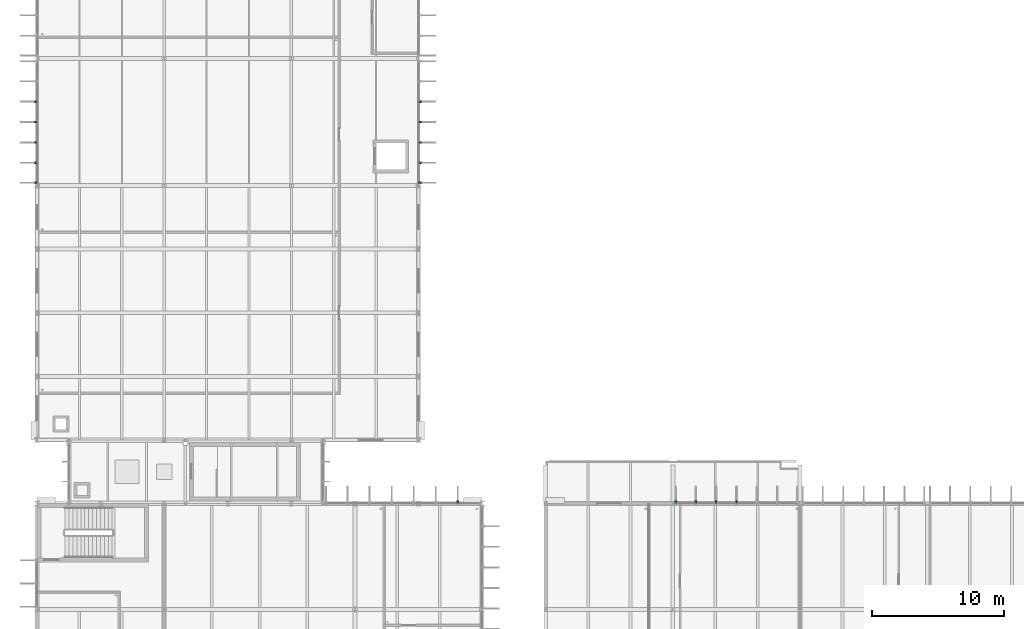
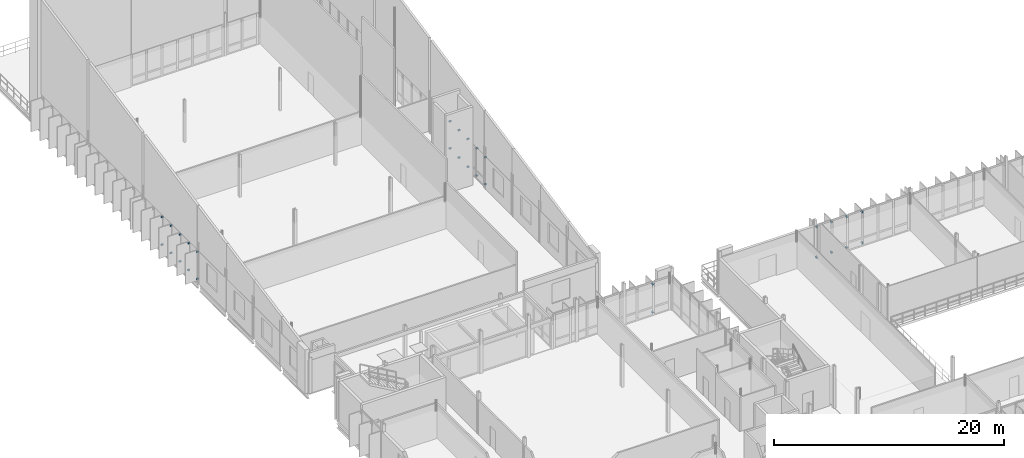
# One storey, part 80 of 93: 30 discrete accessories.
"""IFC4 building model written with IfcOpenShell, lengths in metres."""

import ifcopenshell
import ifcopenshell.guid

model = None  # the IFC model being written
_history = None  # IfcOwnerHistory: only IFC2X3 demands one
_inside = {}  # id of a spatial element -> (the spatial element, [elements in it])
_under = {}  # id of a project, library or spatial element -> (it, [spatial elements below it])
_declared = {}  # id of a project -> (the project, [libraries it declares])
_typed = {}  # id of a type object -> (the type object, [elements of that type])
_made_of = {}  # id of a material, layer set ... -> (it, [elements and type objects made of it])


def new_model(schema):
    """Start an empty IFC model of exactly this schema.

    Asked for "IFC4X3", IfcOpenShell would pick the latest addendum, in which some entities
    have other attributes; the version numbers below select the first issue.
    IFC2X3 requires an IfcOwnerHistory on every rooted entity: one is made here for all.
    """
    global model, _history
    if schema == "IFC4X3":
        model = ifcopenshell.file(schema_version=(4, 3, 0, 0))
    else:
        model = ifcopenshell.file(schema=schema)
    _inside.clear()
    _under.clear()
    _declared.clear()
    _typed.clear()
    _made_of.clear()
    _history = None
    if model.schema == "IFC2X3":
        org = make("IfcOrganization", Name="unknown")
        user = make(
            "IfcPersonAndOrganization",
            ThePerson=make("IfcPerson", FamilyName="unknown"),
            TheOrganization=org,
        )
        app = make(
            "IfcApplication",
            ApplicationDeveloper=org,
            Version="unknown",
            ApplicationFullName="unknown",
            ApplicationIdentifier="unknown",
        )
        _history = make(
            "IfcOwnerHistory",
            OwningUser=user,
            OwningApplication=app,
            ChangeAction="ADDED",
            CreationDate=0,
        )
    return model


def make(cls, **values):
    """One entity of the class cls with the attributes given. An attribute that is None is left unset."""
    return model.create_entity(
        cls, **{name: value for name, value in values.items() if value is not None}
    )


def rooted(cls, **values):
    """An entity with a GlobalId (a new one), such as an element, a storey or a relation."""
    return make(cls, GlobalId=ifcopenshell.guid.new(), OwnerHistory=_history, **values)


def si_unit(unit_type, name, prefix=None):
    """IfcSIUnit, for example si_unit("LENGTHUNIT", "METRE", prefix="MILLI")."""
    return make("IfcSIUnit", UnitType=unit_type, Prefix=prefix, Name=name)


def assignment(units):
    """IfcUnitAssignment: the units of a project."""
    return None if units is None else make("IfcUnitAssignment", Units=units)


def point(xyz):
    """IfcCartesianPoint."""
    return None if xyz is None else make("IfcCartesianPoint", Coordinates=xyz)


def direction(xyz):
    """IfcDirection."""
    return None if xyz is None else make("IfcDirection", DirectionRatios=xyz)


def frame(location, z_axis=None, x_axis=None):
    """IfcAxis2Placement3D, a coordinate frame: its origin and axes. An axis left out is left unset."""
    return make(
        "IfcAxis2Placement3D",
        Location=point(location),
        Axis=direction(z_axis),
        RefDirection=direction(x_axis),
    )


def frame_2d(location, x_axis=None):
    """IfcAxis2Placement2D, a coordinate frame in the plane: its origin and x axis."""
    return make(
        "IfcAxis2Placement2D", Location=point(location), RefDirection=direction(x_axis)
    )


def origin():
    """The frame at (0, 0, 0) with its axes left unset."""
    return frame((0.0, 0.0, 0.0))


def origin_2d():
    """The frame at (0, 0) in the plane with its x axis left unset."""
    return frame_2d((0.0, 0.0))


def place(relative_to, where):
    """IfcLocalPlacement: puts the frame where relative to a parent placement (None: the world)."""
    return make(
        "IfcLocalPlacement", PlacementRelTo=relative_to, RelativePlacement=where
    )


def context(
    kind, dimensions, precision=None, world=None, true_north=None, identifier=None
):
    """IfcGeometricRepresentationContext, for example the 3D "Model" context."""
    return make(
        "IfcGeometricRepresentationContext",
        ContextIdentifier=identifier,
        ContextType=kind,
        CoordinateSpaceDimension=dimensions,
        Precision=precision,
        WorldCoordinateSystem=world,
        TrueNorth=true_north,
    )


def subcontext(parent, identifier, kind, view, scale=None):
    """IfcGeometricRepresentationSubContext, for example "Body" below "Model"."""
    return make(
        "IfcGeometricRepresentationSubContext",
        ContextIdentifier=identifier,
        ContextType=kind,
        ParentContext=parent,
        TargetScale=scale,
        TargetView=view,
    )


def project(units=None, contexts=None):
    """IfcProject with its units and contexts."""
    return rooted(
        "IfcProject",
        Name="project",
        RepresentationContexts=contexts,
        UnitsInContext=assignment(units),
    )


def spatial(cls, under=None, at=None, **own):
    """A site, building, storey or space (cls), placed at a placement, below another one or the project."""
    s = rooted(cls, ObjectPlacement=at, **own)
    if under is not None:
        _under.setdefault(under.id(), (under, []))[1].append(s)
    return s


def profile(cls, at=None, kind="AREA", **sizes):
    """A parametric profile (cls). Its sizes go by their IFC names, for example OverallWidth=200.0."""
    return make(cls, ProfileType=kind, Position=at, **sizes)


def rectangle(**sizes):
    """IfcRectangleProfileDef."""
    return profile("IfcRectangleProfileDef", **sizes)


def extrude(swept, where, along, depth):
    """IfcExtrudedAreaSolid: the profile swept, set in the frame where, extruded along a direction by depth."""
    return make(
        "IfcExtrudedAreaSolid",
        SweptArea=swept,
        Position=where,
        ExtrudedDirection=direction(along),
        Depth=depth,
    )


def shape(context_of_items, identifier, shape_type, items):
    """IfcShapeRepresentation: the items that make up one representation, for example the "Body"."""
    return make(
        "IfcShapeRepresentation",
        ContextOfItems=context_of_items,
        RepresentationIdentifier=identifier,
        RepresentationType=shape_type,
        Items=items,
    )


def material(Name=None, Category=None):
    """IfcMaterial."""
    return make("IfcMaterial", Name=Name, Category=Category)


def made_of(thing, what):
    """Note that an element or type object is made of a material, layer set ...; save() writes the relation."""
    if what is not None:
        _made_of.setdefault(what.id(), (what, []))[1].append(thing)
    return thing


def type_object(cls, material=None, **own):
    """A type object (cls), such as IfcWallType, which elements share."""
    return made_of(rooted(cls, **own), material)


def element(
    cls,
    number,
    at=None,
    inside=None,
    cuts=None,
    type_object=None,
    material=None,
    context=None,
    identifier="Body",
    shape_type=None,
    held_by="IfcProductDefinitionShape",
    body=None,
    shapes=None,
    **own,
):
    """One element of the class cls, such as IfcWall. Its Tag is "e" and its number.

    at: its placement. inside: the storey or other place that contains it. cuts: it is an
    opening in that element (IfcRelVoidsElement). A single representation is given by context,
    identifier, shape_type and body (its items); several are given by shapes. held_by: the class
    of the entity that holds the representations. save() writes the other relations.
    """
    e = rooted(cls, Tag="e%d" % number, ObjectPlacement=at, **own)
    if body is not None:
        shapes = [shape(context, identifier, shape_type, body)]
    if shapes is not None:
        e.Representation = make(held_by, Representations=shapes)
    if inside is not None:
        _inside.setdefault(inside.id(), (inside, []))[1].append(e)
    if cuts is not None:
        rooted(
            "IfcRelVoidsElement", RelatingBuildingElement=cuts, RelatedOpeningElement=e
        )
    if type_object is not None:
        _typed.setdefault(type_object.id(), (type_object, []))[1].append(e)
    return made_of(e, material)


def aggregate(whole, parts):
    """IfcRelAggregates: a whole, such as a stair, and the parts it consists of."""
    return rooted("IfcRelAggregates", RelatingObject=whole, RelatedObjects=parts)


def save(model, path):
    """Write the relations noted so far, then the file.

    IfcRelAggregates (storeys below a building ...), IfcRelContainedInSpatialStructure (elements
    in a storey), IfcRelDefinesByType, IfcRelAssociatesMaterial and IfcRelDeclares: one each for
    every whole, place, type object, material and project.
    """
    for whole, parts in _under.values():
        aggregate(whole, parts)
    for where, things in _inside.values():
        rooted(
            "IfcRelContainedInSpatialStructure",
            RelatedElements=things,
            RelatingStructure=where,
        )
    for kind, things in _typed.values():
        rooted("IfcRelDefinesByType", RelatedObjects=things, RelatingType=kind)
    for what, things in _made_of.values():
        rooted("IfcRelAssociatesMaterial", RelatedObjects=things, RelatingMaterial=what)
    for by, libraries in _declared.values():
        rooted("IfcRelDeclares", RelatingContext=by, RelatedDefinitions=libraries)
    model.write(path)


model = new_model("IFC4")

# Units and contexts
model_context = context("Model", 3, precision=1e-05, world=origin(), true_north=direction((0.0, 1.0)))
body_context = subcontext(model_context, "Body", "Model", "MODEL_VIEW")
ifc_project = project(units=[si_unit("LENGTHUNIT", "METRE"), si_unit("AREAUNIT", "SQUARE_METRE"), si_unit("VOLUMEUNIT", "CUBIC_METRE"), si_unit("PLANEANGLEUNIT", "RADIAN"), si_unit("MASSUNIT", "GRAM", prefix="KILO")], contexts=[model_context])

# Site, building, storey
site_placement = place(None, origin())
site = spatial("IfcSite", under=ifc_project, at=site_placement, CompositionType="ELEMENT")
building_placement = place(site_placement, origin())
building = spatial("IfcBuilding", under=site, at=building_placement, Name="Dunescarp Central Library", CompositionType="ELEMENT")
storey_placement = place(building_placement, frame((0.0, 0.0, 14.10009765625)))
storey = spatial("IfcBuildingStorey", under=building, at=storey_placement, Name="L03", CompositionType="ELEMENT", Elevation=14.10009765625)

# Discrete accessories
ifc_material = material(Name="Stainless steel Grade 316L", Category="steel")
discrete_accessory_type = type_object("IfcDiscreteAccessoryType", Name="ARC-ACC-BRK", PredefinedType="BRACKET", material=ifc_material)
for number, where, z_axis, x_axis, name in (
    (1, (31.760986328125, 36.8798828125, 0.18994140625), (0.0, 0.0, 1.0), (0.0, 1.0, 0.0), "Fin bracket BRK-FIN-L03-0142-B"),
    (2, (31.760986328125, 36.8798828125, 3.201171875), (0.0, 0.0, 1.0), (0.0, 1.0, 0.0), "Fin bracket BRK-FIN-L03-0142-T"),
    (3, (48.215087890625, 36.8798828125, 0.27685546875), (0.0, 0.0, 1.0), (0.0, 1.0, 0.0), "Fin bracket BRK-FIN-L03-0444-B"),
    (4, (48.215087890625, 36.8798828125, 3.53173828125), (0.0, 0.0, 1.0), (0.0, 1.0, 0.0), "Fin bracket BRK-FIN-L03-0444-T"),
    (5, (49.717041015625, 36.8798828125, 0.2900390625), (0.0, 0.0, 1.0), (0.0, 1.0, 0.0), "Fin bracket BRK-FIN-L03-0445-B"),
    (6, (49.717041015625, 36.8798828125, 3.53173828125), (0.0, 0.0, 1.0), (0.0, 1.0, 0.0), "Fin bracket BRK-FIN-L03-0445-T"),
    (7, (51.258056640625, 36.8798828125, 0.27392578125), (0.0, 0.0, 1.0), (0.0, 1.0, 0.0), "Fin bracket BRK-FIN-L03-0446-B"),
    (8, (51.258056640625, 36.8798828125, 3.53173828125), (0.0, 0.0, 1.0), (0.0, 1.0, 0.0), "Fin bracket BRK-FIN-L03-0446-T"),
    (9, (52.800048828125, 36.8798828125, 0.23291015625), (0.0, 0.0, 1.0), (0.0, 1.0, 0.0), "Fin bracket BRK-FIN-L03-0447-B"),
    (10, (52.800048828125, 36.8798828125, 3.53173828125), (0.0, 0.0, 1.0), (0.0, 1.0, 0.0), "Fin bracket BRK-FIN-L03-0447-T"),
    (11, (-0.080078125, 61.014892578125, 0.27685546875), (0.0, 0.0, 1.0), (-1.0, 0.0, 0.0), "Fin bracket BRK-FIN-L03-0863-B"),
    (12, (-0.080078125, 61.014892578125, 3.15185546875), (0.0, 0.0, 1.0), (-1.0, 0.0, 0.0), "Fin bracket BRK-FIN-L03-0863-T"),
    (13, (-0.080078125, 62.51708984375, 0.2900390625), (0.0, 0.0, 1.0), (-1.0, 0.0, 0.0), "Fin bracket BRK-FIN-L03-0864-B"),
    (14, (-0.080078125, 62.51708984375, 3.15185546875), (0.0, 0.0, 1.0), (-1.0, 0.0, 0.0), "Fin bracket BRK-FIN-L03-0864-T"),
    (15, (-0.080078125, 64.05810546875, 0.27392578125), (0.0, 0.0, 1.0), (-1.0, 0.0, 0.0), "Fin bracket BRK-FIN-L03-0865-B"),
    (16, (-0.080078125, 64.05810546875, 3.15185546875), (0.0, 0.0, 1.0), (-1.0, 0.0, 0.0), "Fin bracket BRK-FIN-L03-0865-T"),
    (17, (-0.080078125, 65.60009765625, 0.23291015625), (0.0, 0.0, 1.0), (-1.0, 0.0, 0.0), "Fin bracket BRK-FIN-L03-0866-B"),
    (18, (-0.080078125, 65.60009765625, 3.15185546875), (0.0, 0.0, 1.0), (-1.0, 0.0, 0.0), "Fin bracket BRK-FIN-L03-0866-T"),
    (19, (-0.080078125, 67.14208984375, 0.18994140625), (0.0, 0.0, 1.0), (-1.0, 0.0, 0.0), "Fin bracket BRK-FIN-L03-0867-B"),
    (20, (-0.080078125, 67.14208984375, 3.14111328125), (0.0, 0.0, 1.0), (-1.0, 0.0, 0.0), "Fin bracket BRK-FIN-L03-0867-T"),
    (21, (28.8798828125, 67.14208984375, 0.27392578125), (0.0, 0.0, 1.0), (1.0, 0.0, 0.0), "Fin bracket BRK-FIN-L03-0872-B"),
    (22, (28.8798828125, 67.14208984375, 3.15185546875), (0.0, 0.0, 1.0), (1.0, 0.0, 0.0), "Fin bracket BRK-FIN-L03-0872-T"),
    (23, (28.8798828125, 65.60009765625, 0.23291015625), (0.0, 0.0, 1.0), (1.0, 0.0, 0.0), "Fin bracket BRK-FIN-L03-0873-B"),
    (24, (28.8798828125, 65.60009765625, 3.15185546875), (0.0, 0.0, 1.0), (1.0, 0.0, 0.0), "Fin bracket BRK-FIN-L03-0873-T"),
    (25, (28.8798828125, 64.05810546875, 0.18994140625), (0.0, 0.0, 1.0), (1.0, 0.0, 0.0), "Fin bracket BRK-FIN-L03-0874-B"),
    (26, (28.8798828125, 64.05810546875, 3.14111328125), (0.0, 0.0, 1.0), (1.0, 0.0, 0.0), "Fin bracket BRK-FIN-L03-0874-T"),
    (27, (28.8798828125, 62.51708984375, 0.18994140625), (0.0, 0.0, 1.0), (1.0, 0.0, 0.0), "Fin bracket BRK-FIN-L03-0875-B"),
    (28, (28.8798828125, 62.51708984375, 3.0908203125), (0.0, 0.0, 1.0), (1.0, 0.0, 0.0), "Fin bracket BRK-FIN-L03-0875-T"),
    (29, (28.8798828125, 61.014892578125, 0.18994140625), (0.0, 0.0, 1.0), (1.0, 0.0, 0.0), "Fin bracket BRK-FIN-L03-0876-B"),
    (30, (28.8798828125, 61.014892578125, 3.05810546875), (0.0, 0.0, 1.0), (1.0, 0.0, 0.0), "Fin bracket BRK-FIN-L03-0876-T"),
):
    element("IfcDiscreteAccessory", number, at=place(storey_placement, frame(where, z_axis=z_axis, x_axis=x_axis)), inside=storey, type_object=discrete_accessory_type, Name=name, PredefinedType="BRACKET", context=body_context, shape_type="SweptSolid", body=[
        extrude(rectangle(XDim=0.219970703125, YDim=0.139892578125, at=origin_2d()), origin(), (0.0, 0.0, 1.0), 0.139892578125),
    ])

save(model, "model.ifc")
